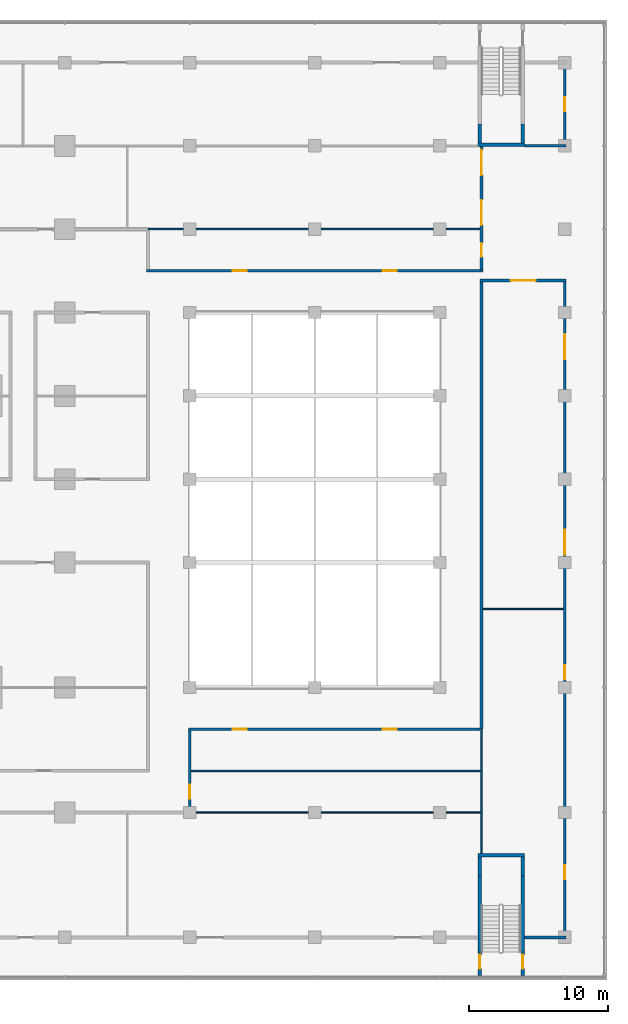
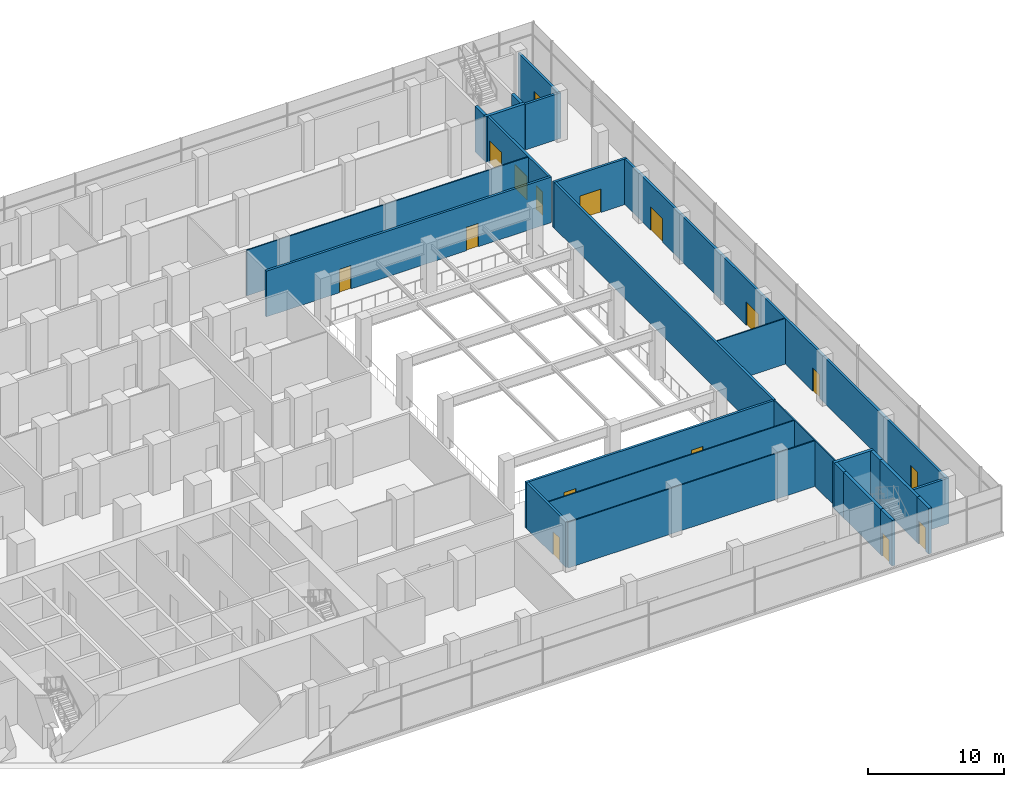
# One storey, part 17 of 22: 25 walls, 16 doors, 16 openings.
"""IFC4 building model written with IfcOpenShell, lengths in metres."""

from ifc_helpers import new_model, si_unit, direction, frame, frame_2d, origin, place, context, subcontext, project, spatial, rectangle, extrude, material, layer, layer_set, type_object, element, fill, save


model = new_model("IFC4")

# Units and contexts
model_context = context("Model", 3, precision=1e-05, world=origin(), true_north=direction((0.0, 1.0)))
body_context = subcontext(model_context, "Body", "Model", "MODEL_VIEW")
ifc_project = project(units=[si_unit("LENGTHUNIT", "METRE"), si_unit("AREAUNIT", "SQUARE_METRE"), si_unit("VOLUMEUNIT", "CUBIC_METRE"), si_unit("PLANEANGLEUNIT", "RADIAN"), si_unit("MASSUNIT", "GRAM", prefix="KILO")], contexts=[model_context])

# Site, building, storey
site_placement = place(None, origin())
site = spatial("IfcSite", under=ifc_project, at=site_placement, CompositionType="ELEMENT")
building_placement = place(site_placement, origin())
building = spatial("IfcBuilding", under=site, at=building_placement, Name="Finial Court Residences", CompositionType="ELEMENT")
storey_placement = place(building_placement, frame((0.0, 0.0, 28.0)))
storey = spatial("IfcBuildingStorey", under=building, at=storey_placement, Name="L05", CompositionType="ELEMENT", Elevation=28.0)

# Wall
ifc_material_1 = material(Name="Gypsum board")
ifc_layer_1 = layer(ifc_material_1, 0.02490234375)
ifc_material_2 = material(Name="Acoustic mineral wool in double frame")
ifc_layer_2 = layer(ifc_material_2, 0.14990234375)
ifc_layer_3 = layer(ifc_material_1, 0.02490234375)
ifc_layer_set_1 = layer_set([ifc_layer_1, ifc_layer_2, ifc_layer_3], Name="Corridor wall 200, 1 hour")
wall_type_1 = type_object("IfcWallType", Name="Corridor wall 200, 1 hour", PredefinedType="PARTITIONING", material=ifc_layer_set_1)
wall_1_placement = place(storey_placement, frame((55.60009765625, -31.5, 0.0), z_axis=(0.0, 0.0, 1.0), x_axis=(1.0, 0.0, 0.0)))
element("IfcWall", 1, at=wall_1_placement, inside=storey, type_object=wall_type_1, Name="Partition L05-002", PredefinedType="PARTITIONING", context=body_context, shape_type="SweptSolid", body=[
    extrude(rectangle(XDim=3.0, YDim=0.199951171875, at=frame_2d((1.5, 0.0))), origin(), (0.0, 0.0, 1.0), 4.10009765625),
])

# Wall, openings, doors
wall_2_placement = place(storey_placement, frame((31.39990234375, -16.5, 0.0), z_axis=(0.0, 0.0, 1.0), x_axis=(1.0, 0.0, 0.0)))
wall_2 = element("IfcWall", 2, at=wall_2_placement, inside=storey, type_object=wall_type_1, Name="Partition L05-011", PredefinedType="PARTITIONING", context=body_context, shape_type="SweptSolid", body=[
    extrude(rectangle(XDim=21.0, YDim=0.199951171875, at=frame_2d((10.5, 0.0))), origin(), (0.0, 0.0, 1.0), 4.10009765625),
])
opening_1_placement = place(wall_2_placement, frame((3.199951171875, 0.0, 0.0)))
opening_1 = element("IfcOpeningElement", 3, at=opening_1_placement, cuts=wall_2, Name="Opening L05-D011", PredefinedType="OPENING", context=body_context, shape_type="SweptSolid", body=[
    extrude(rectangle(XDim=1.0, YDim=2.10009765625, at=frame_2d((0.5, 1.050048828125))), frame((0.0, 0.10986328125, 0.0), z_axis=(0.0, -1.0, 0.0), x_axis=(1.0, 0.0, 0.0)), (0.0, 0.0, 1.0), 0.219970703125),
])
opening_2_placement = place(wall_2_placement, frame((14.0, 0.0, 0.0)))
opening_2 = element("IfcOpeningElement", 4, at=opening_2_placement, cuts=wall_2, Name="Opening L05-D012", PredefinedType="OPENING", context=body_context, shape_type="SweptSolid", body=[
    extrude(rectangle(XDim=1.0, YDim=2.10009765625, at=frame_2d((0.5, 1.050048828125))), frame((0.0, 0.10986328125, 0.0), z_axis=(0.0, -1.0, 0.0), x_axis=(1.0, 0.0, 0.0)), (0.0, 0.0, 1.0), 0.219970703125),
])
ifc_material_3 = material(Name="Timber door leaf in hollow metal frame", Category="wood")
door_type_1 = type_object("IfcDoorType", Name="Fire door set 1000 x 2100, 30 minutes", OperationType="SINGLE_SWING_LEFT", PredefinedType="DOOR", material=ifc_material_3)
door_1_placement = place(opening_1_placement, origin())
door_1 = element("IfcDoor", 5, at=door_1_placement, inside=storey, type_object=door_type_1, Name="Door L05-D011", OperationType="SINGLE_SWING_LEFT", OverallHeight=2.10009765625, OverallWidth=1.0, PredefinedType="DOOR", context=body_context, shape_type="SweptSolid", body=[
    extrude(rectangle(XDim=1.0, YDim=2.10009765625, at=frame_2d((0.5, 1.050048828125))), frame((0.0, 0.02490234375, 0.0), z_axis=(0.0, -1.0, 0.0), x_axis=(1.0, 0.0, 0.0)), (0.0, 0.0, 1.0), 0.050048828125),
])
fill(opening_1, door_1)
door_2_placement = place(opening_2_placement, origin())
door_2 = element("IfcDoor", 6, at=door_2_placement, inside=storey, type_object=door_type_1, Name="Door L05-D012", OperationType="SINGLE_SWING_RIGHT", OverallHeight=2.10009765625, OverallWidth=1.0, PredefinedType="DOOR", context=body_context, shape_type="SweptSolid", body=[
    extrude(rectangle(XDim=1.0, YDim=2.10009765625, at=frame_2d((0.5, 1.050048828125))), frame((0.0, 0.02490234375, 0.0), z_axis=(0.0, -1.0, 0.0), x_axis=(1.0, 0.0, 0.0)), (0.0, 0.0, 1.0), 0.050048828125),
])
fill(opening_2, door_2)

# Wall, opening, door
wall_3_placement = place(storey_placement, frame((52.39990234375, 15.800048828125, 0.0), z_axis=(0.0, 0.0, 1.0), x_axis=(1.0, 0.0, 0.0)))
wall_3 = element("IfcWall", 7, at=wall_3_placement, inside=storey, type_object=wall_type_1, Name="Partition L05-029", PredefinedType="PARTITIONING", context=body_context, shape_type="SweptSolid", body=[
    extrude(rectangle(XDim=6.2001953125, YDim=0.199951171875, at=frame_2d((3.10009765625, 0.0))), origin(), (0.0, 0.0, 1.0), 4.10009765625),
])
opening_3_placement = place(wall_3_placement, frame((2.199951171875, 0.0, 0.0)))
opening_3 = element("IfcOpeningElement", 8, at=opening_3_placement, cuts=wall_3, Name="Opening L05-D028", PredefinedType="OPENING", context=body_context, shape_type="SweptSolid", body=[
    extrude(rectangle(XDim=1.800048828125, YDim=2.10009765625, at=frame_2d((0.89990234375, 1.050048828125))), frame((0.0, 0.10986328125, 0.0), z_axis=(0.0, -1.0, 0.0), x_axis=(1.0, 0.0, 0.0)), (0.0, 0.0, 1.0), 0.219970703125),
])
door_type_2 = type_object("IfcDoorType", Name="Fire door set 1800 x 2100, 30 minutes", OperationType="DOUBLE_DOOR_SINGLE_SWING", PredefinedType="DOOR", material=ifc_material_3)
door_3_placement = place(opening_3_placement, origin())
door_3 = element("IfcDoor", 9, at=door_3_placement, inside=storey, type_object=door_type_2, Name="Door L05-D028", OperationType="DOUBLE_DOOR_SINGLE_SWING", OverallHeight=2.10009765625, OverallWidth=1.800048828125, PredefinedType="DOOR", context=body_context, shape_type="SweptSolid", body=[
    extrude(rectangle(XDim=1.800048828125, YDim=2.10009765625, at=frame_2d((0.89990234375, 1.050048828125))), frame((0.0, 0.02490234375, 0.0), z_axis=(0.0, -1.0, 0.0), x_axis=(1.0, 0.0, 0.0)), (0.0, 0.0, 1.0), 0.050048828125),
])
fill(opening_3, door_3)

# Wall, openings, doors
wall_4_placement = place(storey_placement, frame((28.39990234375, 16.5, 0.0), z_axis=(0.0, 0.0, 1.0), x_axis=(1.0, 0.0, 0.0)))
wall_4 = element("IfcWall", 10, at=wall_4_placement, inside=storey, type_object=wall_type_1, Name="Partition L05-030", PredefinedType="PARTITIONING", context=body_context, shape_type="SweptSolid", body=[
    extrude(rectangle(XDim=24.2001953125, YDim=0.199951171875, at=frame_2d((12.10009765625, 0.0))), origin(), (0.0, 0.0, 1.0), 4.10009765625),
])
opening_4_placement = place(wall_4_placement, frame((6.199951171875, 0.0, 0.0)))
opening_4 = element("IfcOpeningElement", 11, at=opening_4_placement, cuts=wall_4, Name="Opening L05-D029", PredefinedType="OPENING", context=body_context, shape_type="SweptSolid", body=[
    extrude(rectangle(XDim=1.0, YDim=2.10009765625, at=frame_2d((0.5, 1.050048828125))), frame((0.0, 0.10986328125, 0.0), z_axis=(0.0, -1.0, 0.0), x_axis=(1.0, 0.0, 0.0)), (0.0, 0.0, 1.0), 0.219970703125),
])
opening_5_placement = place(wall_4_placement, frame((17.0, 0.0, 0.0)))
opening_5 = element("IfcOpeningElement", 12, at=opening_5_placement, cuts=wall_4, Name="Opening L05-D030", PredefinedType="OPENING", context=body_context, shape_type="SweptSolid", body=[
    extrude(rectangle(XDim=1.0, YDim=2.10009765625, at=frame_2d((0.5, 1.050048828125))), frame((0.0, 0.10986328125, 0.0), z_axis=(0.0, -1.0, 0.0), x_axis=(1.0, 0.0, 0.0)), (0.0, 0.0, 1.0), 0.219970703125),
])
door_4_placement = place(opening_4_placement, origin())
door_4 = element("IfcDoor", 13, at=door_4_placement, inside=storey, type_object=door_type_1, Name="Door L05-D029", OperationType="SINGLE_SWING_RIGHT", OverallHeight=2.10009765625, OverallWidth=1.0, PredefinedType="DOOR", context=body_context, shape_type="SweptSolid", body=[
    extrude(rectangle(XDim=1.0, YDim=2.10009765625, at=frame_2d((0.5, 1.050048828125))), frame((0.0, 0.02490234375, 0.0), z_axis=(0.0, -1.0, 0.0), x_axis=(1.0, 0.0, 0.0)), (0.0, 0.0, 1.0), 0.050048828125),
])
fill(opening_4, door_4)
door_5_placement = place(opening_5_placement, origin())
door_5 = element("IfcDoor", 14, at=door_5_placement, inside=storey, type_object=door_type_1, Name="Door L05-D030", OperationType="SINGLE_SWING_LEFT", OverallHeight=2.10009765625, OverallWidth=1.0, PredefinedType="DOOR", context=body_context, shape_type="SweptSolid", body=[
    extrude(rectangle(XDim=1.0, YDim=2.10009765625, at=frame_2d((0.5, 1.050048828125))), frame((0.0, 0.02490234375, 0.0), z_axis=(0.0, -1.0, 0.0), x_axis=(1.0, 0.0, 0.0)), (0.0, 0.0, 1.0), 0.050048828125),
])
fill(opening_5, door_5)

# Wall
wall_5_placement = place(storey_placement, frame((55.60009765625, 25.5, 0.0), z_axis=(0.0, 0.0, 1.0), x_axis=(1.0, 0.0, 0.0)))
element("IfcWall", 15, at=wall_5_placement, inside=storey, type_object=wall_type_1, Name="Partition L05-033", PredefinedType="PARTITIONING", context=body_context, shape_type="SweptSolid", body=[
    extrude(rectangle(XDim=3.0, YDim=0.199951171875, at=frame_2d((1.5, 0.0))), origin(), (0.0, 0.0, 1.0), 4.10009765625),
])

# Wall, opening, door
wall_6_placement = place(storey_placement, frame((31.5, -22.39990234375, 0.0), z_axis=(0.0, 0.0, 1.0), x_axis=(0.0, 1.0, 0.0)))
wall_6 = element("IfcWall", 16, at=wall_6_placement, inside=storey, type_object=wall_type_1, Name="Partition L05-064", PredefinedType="PARTITIONING", context=body_context, shape_type="SweptSolid", body=[
    extrude(rectangle(XDim=5.7998046875, YDim=0.199951171875, at=frame_2d((2.89990234375, 0.0))), origin(), (0.0, 0.0, 1.0), 4.10009765625),
])
opening_6_placement = place(wall_6_placement, frame((0.89990234375, 0.0, 0.0)))
opening_6 = element("IfcOpeningElement", 17, at=opening_6_placement, cuts=wall_6, Name="Opening L05-D042", PredefinedType="OPENING", context=body_context, shape_type="SweptSolid", body=[
    extrude(rectangle(XDim=1.0, YDim=2.10009765625, at=frame_2d((0.5, 1.050048828125))), frame((0.0, 0.10986328125, 0.0), z_axis=(0.0, -1.0, 0.0), x_axis=(1.0, 0.0, 0.0)), (0.0, 0.0, 1.0), 0.219970703125),
])
door_6_placement = place(opening_6_placement, origin())
door_6 = element("IfcDoor", 18, at=door_6_placement, inside=storey, type_object=door_type_1, Name="Door L05-D042", OperationType="SINGLE_SWING_LEFT", OverallHeight=2.10009765625, OverallWidth=1.0, PredefinedType="DOOR", context=body_context, shape_type="SweptSolid", body=[
    extrude(rectangle(XDim=1.0, YDim=2.10009765625, at=frame_2d((0.5, 1.050048828125))), frame((0.0, 0.02490234375, 0.0), z_axis=(0.0, -1.0, 0.0), x_axis=(1.0, 0.0, 0.0)), (0.0, 0.0, 1.0), 0.050048828125),
])
fill(opening_6, door_6)

# Wall
wall_7_placement = place(storey_placement, frame((52.5, -16.5, 0.0), z_axis=(0.0, 0.0, 1.0), x_axis=(0.0, 1.0, 0.0)))
element("IfcWall", 19, at=wall_7_placement, inside=storey, type_object=wall_type_1, Name="Partition L05-065", PredefinedType="PARTITIONING", context=body_context, shape_type="SweptSolid", body=[
    extrude(rectangle(XDim=32.199951171875, YDim=0.199951171875, at=frame_2d((16.10009765625, 0.0))), origin(), (0.0, 0.0, 1.0), 4.10009765625),
])

# Wall, openings, doors
wall_8_placement = place(storey_placement, frame((52.5, 16.60009765625, 0.0), z_axis=(0.0, 0.0, 1.0), x_axis=(0.0, 1.0, 0.0)))
wall_8 = element("IfcWall", 20, at=wall_8_placement, inside=storey, type_object=wall_type_1, Name="Partition L05-066", PredefinedType="PARTITIONING", context=body_context, shape_type="SweptSolid", body=[
    extrude(rectangle(XDim=8.869873046875, YDim=0.199951171875, at=frame_2d((4.43505859375, 0.0))), origin(), (0.0, 0.0, 1.0), 4.10009765625),
])
opening_7_placement = place(wall_8_placement, frame((0.89990234375, 0.0, 0.0)))
opening_7 = element("IfcOpeningElement", 21, at=opening_7_placement, cuts=wall_8, Name="Opening L05-D043", PredefinedType="OPENING", context=body_context, shape_type="SweptSolid", body=[
    extrude(rectangle(XDim=1.0, YDim=2.10009765625, at=frame_2d((0.5, 1.050048828125))), frame((0.0, 0.10986328125, 0.0), z_axis=(0.0, -1.0, 0.0), x_axis=(1.0, 0.0, 0.0)), (0.0, 0.0, 1.0), 0.219970703125),
])
opening_8_placement = place(wall_8_placement, frame((3.199951171875, 0.0, 0.0)))
opening_8 = element("IfcOpeningElement", 22, at=opening_8_placement, cuts=wall_8, Name="Opening L05-D044", PredefinedType="OPENING", context=body_context, shape_type="SweptSolid", body=[
    extrude(rectangle(XDim=1.800048828125, YDim=2.10009765625, at=frame_2d((0.89990234375, 1.050048828125))), frame((0.0, 0.10986328125, 0.0), z_axis=(0.0, -1.0, 0.0), x_axis=(1.0, 0.0, 0.0)), (0.0, 0.0, 1.0), 0.219970703125),
])
opening_9_placement = place(wall_8_placement, frame((6.800048828125, 0.0, 0.0)))
opening_9 = element("IfcOpeningElement", 23, at=opening_9_placement, cuts=wall_8, Name="Opening L05-D045", PredefinedType="OPENING", context=body_context, shape_type="SweptSolid", body=[
    extrude(rectangle(XDim=1.800048828125, YDim=2.10009765625, at=frame_2d((0.89990234375, 1.050048828125))), frame((0.0, 0.10986328125, 0.0), z_axis=(0.0, -1.0, 0.0), x_axis=(1.0, 0.0, 0.0)), (0.0, 0.0, 1.0), 0.219970703125),
])
door_7_placement = place(opening_7_placement, origin())
door_7 = element("IfcDoor", 24, at=door_7_placement, inside=storey, type_object=door_type_1, Name="Door L05-D043", OperationType="SINGLE_SWING_RIGHT", OverallHeight=2.10009765625, OverallWidth=1.0, PredefinedType="DOOR", context=body_context, shape_type="SweptSolid", body=[
    extrude(rectangle(XDim=1.0, YDim=2.10009765625, at=frame_2d((0.5, 1.050048828125))), frame((0.0, 0.02490234375, 0.0), z_axis=(0.0, -1.0, 0.0), x_axis=(1.0, 0.0, 0.0)), (0.0, 0.0, 1.0), 0.050048828125),
])
fill(opening_7, door_7)
door_8_placement = place(opening_8_placement, origin())
door_8 = element("IfcDoor", 25, at=door_8_placement, inside=storey, type_object=door_type_2, Name="Door L05-D044", OperationType="DOUBLE_DOOR_SINGLE_SWING", OverallHeight=2.10009765625, OverallWidth=1.800048828125, PredefinedType="DOOR", context=body_context, shape_type="SweptSolid", body=[
    extrude(rectangle(XDim=1.800048828125, YDim=2.10009765625, at=frame_2d((0.89990234375, 1.050048828125))), frame((0.0, 0.02490234375, 0.0), z_axis=(0.0, -1.0, 0.0), x_axis=(1.0, 0.0, 0.0)), (0.0, 0.0, 1.0), 0.050048828125),
])
fill(opening_8, door_8)
door_9_placement = place(opening_9_placement, origin())
door_9 = element("IfcDoor", 26, at=door_9_placement, inside=storey, type_object=door_type_2, Name="Door L05-D045", OperationType="DOUBLE_DOOR_SINGLE_SWING", OverallHeight=2.10009765625, OverallWidth=1.800048828125, PredefinedType="DOOR", context=body_context, shape_type="SweptSolid", body=[
    extrude(rectangle(XDim=1.800048828125, YDim=2.10009765625, at=frame_2d((0.89990234375, 1.050048828125))), frame((0.0, 0.02490234375, 0.0), z_axis=(0.0, -1.0, 0.0), x_axis=(1.0, 0.0, 0.0)), (0.0, 0.0, 1.0), 0.050048828125),
])
fill(opening_9, door_9)

wall_9_placement = place(storey_placement, frame((58.5, -31.39990234375, 0.0), z_axis=(0.0, 0.0, 1.0), x_axis=(0.0, 1.0, 0.0)))
wall_9 = element("IfcWall", 27, at=wall_9_placement, inside=storey, type_object=wall_type_1, Name="Partition L05-068", PredefinedType="PARTITIONING", context=body_context, shape_type="SweptSolid", body=[
    extrude(rectangle(XDim=47.099853515625, YDim=0.199951171875, at=frame_2d((23.5498046875, 0.0))), origin(), (0.0, 0.0, 1.0), 4.10009765625),
])
opening_10_placement = place(wall_9_placement, frame((4.10009765625, 0.0, 0.0)))
opening_10 = element("IfcOpeningElement", 28, at=opening_10_placement, cuts=wall_9, Name="Opening L05-D046", PredefinedType="OPENING", context=body_context, shape_type="SweptSolid", body=[
    extrude(rectangle(XDim=1.0, YDim=2.10009765625, at=frame_2d((0.5, 1.050048828125))), frame((0.0, 0.10986328125, 0.0), z_axis=(0.0, -1.0, 0.0), x_axis=(1.0, 0.0, 0.0)), (0.0, 0.0, 1.0), 0.219970703125),
])
opening_11_placement = place(wall_9_placement, frame((18.5, 0.0, 0.0)))
opening_11 = element("IfcOpeningElement", 29, at=opening_11_placement, cuts=wall_9, Name="Opening L05-D047", PredefinedType="OPENING", context=body_context, shape_type="SweptSolid", body=[
    extrude(rectangle(XDim=1.0, YDim=2.10009765625, at=frame_2d((0.5, 1.050048828125))), frame((0.0, 0.10986328125, 0.0), z_axis=(0.0, -1.0, 0.0), x_axis=(1.0, 0.0, 0.0)), (0.0, 0.0, 1.0), 0.219970703125),
])
opening_12_placement = place(wall_9_placement, frame((27.449951171875, 0.0, 0.0)))
opening_12 = element("IfcOpeningElement", 30, at=opening_12_placement, cuts=wall_9, Name="Opening L05-D048", PredefinedType="OPENING", context=body_context, shape_type="SweptSolid", body=[
    extrude(rectangle(XDim=1.800048828125, YDim=2.10009765625, at=frame_2d((0.89990234375, 1.050048828125))), frame((0.0, 0.10986328125, 0.0), z_axis=(0.0, -1.0, 0.0), x_axis=(1.0, 0.0, 0.0)), (0.0, 0.0, 1.0), 0.219970703125),
])
opening_13_placement = place(wall_9_placement, frame((41.550048828125, 0.0, 0.0)))
opening_13 = element("IfcOpeningElement", 31, at=opening_13_placement, cuts=wall_9, Name="Opening L05-D049", PredefinedType="OPENING", context=body_context, shape_type="SweptSolid", body=[
    extrude(rectangle(XDim=1.800048828125, YDim=2.10009765625, at=frame_2d((0.89990234375, 1.050048828125))), frame((0.0, 0.10986328125, 0.0), z_axis=(0.0, -1.0, 0.0), x_axis=(1.0, 0.0, 0.0)), (0.0, 0.0, 1.0), 0.219970703125),
])
door_10_placement = place(opening_10_placement, origin())
door_10 = element("IfcDoor", 32, at=door_10_placement, inside=storey, type_object=door_type_1, Name="Door L05-D046", OperationType="SINGLE_SWING_RIGHT", OverallHeight=2.10009765625, OverallWidth=1.0, PredefinedType="DOOR", context=body_context, shape_type="SweptSolid", body=[
    extrude(rectangle(XDim=1.0, YDim=2.10009765625, at=frame_2d((0.5, 1.050048828125))), frame((0.0, 0.02490234375, 0.0), z_axis=(0.0, -1.0, 0.0), x_axis=(1.0, 0.0, 0.0)), (0.0, 0.0, 1.0), 0.050048828125),
])
fill(opening_10, door_10)
door_11_placement = place(opening_11_placement, origin())
door_11 = element("IfcDoor", 33, at=door_11_placement, inside=storey, type_object=door_type_1, Name="Door L05-D047", OperationType="SINGLE_SWING_RIGHT", OverallHeight=2.10009765625, OverallWidth=1.0, PredefinedType="DOOR", context=body_context, shape_type="SweptSolid", body=[
    extrude(rectangle(XDim=1.0, YDim=2.10009765625, at=frame_2d((0.5, 1.050048828125))), frame((0.0, 0.02490234375, 0.0), z_axis=(0.0, -1.0, 0.0), x_axis=(1.0, 0.0, 0.0)), (0.0, 0.0, 1.0), 0.050048828125),
])
fill(opening_11, door_11)
door_12_placement = place(opening_12_placement, origin())
door_12 = element("IfcDoor", 34, at=door_12_placement, inside=storey, type_object=door_type_2, Name="Door L05-D048", OperationType="DOUBLE_DOOR_SINGLE_SWING", OverallHeight=2.10009765625, OverallWidth=1.800048828125, PredefinedType="DOOR", context=body_context, shape_type="SweptSolid", body=[
    extrude(rectangle(XDim=1.800048828125, YDim=2.10009765625, at=frame_2d((0.89990234375, 1.050048828125))), frame((0.0, 0.02490234375, 0.0), z_axis=(0.0, -1.0, 0.0), x_axis=(1.0, 0.0, 0.0)), (0.0, 0.0, 1.0), 0.050048828125),
])
fill(opening_12, door_12)
door_13_placement = place(opening_13_placement, origin())
door_13 = element("IfcDoor", 35, at=door_13_placement, inside=storey, type_object=door_type_2, Name="Door L05-D049", OperationType="DOUBLE_DOOR_SINGLE_SWING", OverallHeight=2.10009765625, OverallWidth=1.800048828125, PredefinedType="DOOR", context=body_context, shape_type="SweptSolid", body=[
    extrude(rectangle(XDim=1.800048828125, YDim=2.10009765625, at=frame_2d((0.89990234375, 1.050048828125))), frame((0.0, 0.02490234375, 0.0), z_axis=(0.0, -1.0, 0.0), x_axis=(1.0, 0.0, 0.0)), (0.0, 0.0, 1.0), 0.050048828125),
])
fill(opening_13, door_13)

# Wall, opening, door
wall_10_placement = place(storey_placement, frame((58.5, 25.60009765625, 0.0), z_axis=(0.0, 0.0, 1.0), x_axis=(0.0, 1.0, 0.0)))
wall_10 = element("IfcWall", 36, at=wall_10_placement, inside=storey, type_object=wall_type_1, Name="Partition L05-069", PredefinedType="PARTITIONING", context=body_context, shape_type="SweptSolid", body=[
    extrude(rectangle(XDim=5.7998046875, YDim=0.199951171875, at=frame_2d((2.89990234375, 0.0))), origin(), (0.0, 0.0, 1.0), 4.10009765625),
])
opening_14_placement = place(wall_10_placement, frame((2.39990234375, 0.0, 0.0)))
opening_14 = element("IfcOpeningElement", 37, at=opening_14_placement, cuts=wall_10, Name="Opening L05-D050", PredefinedType="OPENING", context=body_context, shape_type="SweptSolid", body=[
    extrude(rectangle(XDim=1.0, YDim=2.10009765625, at=frame_2d((0.5, 1.050048828125))), frame((0.0, 0.10986328125, 0.0), z_axis=(0.0, -1.0, 0.0), x_axis=(1.0, 0.0, 0.0)), (0.0, 0.0, 1.0), 0.219970703125),
])
door_14_placement = place(opening_14_placement, origin())
door_14 = element("IfcDoor", 38, at=door_14_placement, inside=storey, type_object=door_type_1, Name="Door L05-D050", OperationType="SINGLE_SWING_RIGHT", OverallHeight=2.10009765625, OverallWidth=1.0, PredefinedType="DOOR", context=body_context, shape_type="SweptSolid", body=[
    extrude(rectangle(XDim=1.0, YDim=2.10009765625, at=frame_2d((0.5, 1.050048828125))), frame((0.0, 0.02490234375, 0.0), z_axis=(0.0, -1.0, 0.0), x_axis=(1.0, 0.0, 0.0)), (0.0, 0.0, 1.0), 0.050048828125),
])
fill(opening_14, door_14)

# Walls
ifc_layer_4 = layer(ifc_material_1, 0.012451171875)
ifc_material_4 = material(Name="Mineral wool in light-gauge frame")
ifc_layer_5 = layer(ifc_material_4, 0.074951171875)
ifc_layer_6 = layer(ifc_material_1, 0.012451171875)
ifc_layer_set_2 = layer_set([ifc_layer_4, ifc_layer_5, ifc_layer_6], Name="Gypsum board partition 100")
wall_type_2 = type_object("IfcWallType", Name="Gypsum board partition 100", PredefinedType="PARTITIONING", material=ifc_layer_set_2)
wall_11_placement = place(storey_placement, frame((31.5, -22.5, 0.0), z_axis=(0.0, 0.0, 1.0), x_axis=(1.0, 0.0, 0.0)))
element("IfcWall", 39, at=wall_11_placement, inside=storey, type_object=wall_type_2, Name="Partition L05-007", PredefinedType="PARTITIONING", context=body_context, shape_type="SweptSolid", body=[
    extrude(rectangle(XDim=20.949951171875, YDim=0.10009765625, at=frame_2d((10.47509765625, 0.0))), origin(), (0.0, 0.0, 1.0), 4.10009765625),
])
wall_12_placement = place(storey_placement, frame((31.60009765625, -19.5, 0.0), z_axis=(0.0, 0.0, 1.0), x_axis=(1.0, 0.0, 0.0)))
element("IfcWall", 40, at=wall_12_placement, inside=storey, type_object=wall_type_2, Name="Partition L05-010", PredefinedType="PARTITIONING", context=body_context, shape_type="SweptSolid", body=[
    extrude(rectangle(XDim=20.849853515625, YDim=0.10009765625, at=frame_2d((10.4248046875, 0.0))), origin(), (0.0, 0.0, 1.0), 4.10009765625),
])
wall_13_placement = place(storey_placement, frame((52.60009765625, -7.85009765625, 0.0), z_axis=(0.0, 0.0, 1.0), x_axis=(1.0, 0.0, 0.0)))
element("IfcWall", 41, at=wall_13_placement, inside=storey, type_object=wall_type_2, Name="Partition L05-014", PredefinedType="PARTITIONING", context=body_context, shape_type="SweptSolid", body=[
    extrude(rectangle(XDim=5.7998046875, YDim=0.10009765625, at=frame_2d((2.89990234375, 0.0))), origin(), (0.0, 0.0, 1.0), 4.10009765625),
])
wall_14_placement = place(storey_placement, frame((28.5, 19.5, 0.0), z_axis=(0.0, 0.0, 1.0), x_axis=(1.0, 0.0, 0.0)))
element("IfcWall", 42, at=wall_14_placement, inside=storey, type_object=wall_type_2, Name="Partition L05-032", PredefinedType="PARTITIONING", context=body_context, shape_type="SweptSolid", body=[
    extrude(rectangle(XDim=23.89990234375, YDim=0.10009765625, at=frame_2d((11.949951171875, 0.0))), origin(), (0.0, 0.0, 1.0), 4.10009765625),
])
wall_15_placement = place(storey_placement, frame((52.5, -25.469970703125, 0.0), z_axis=(0.0, 0.0, 1.0), x_axis=(0.0, 1.0, 0.0)))
element("IfcWall", 43, at=wall_15_placement, inside=storey, type_object=wall_type_2, Name="Partition L05-067", PredefinedType="PARTITIONING", context=body_context, shape_type="SweptSolid", body=[
    extrude(rectangle(XDim=8.969970703125, YDim=0.10009765625, at=frame_2d((4.48486328125, 0.0))), origin(), (0.0, 0.0, 1.0), 4.10009765625),
])

# Wall, opening, door
ifc_material_5 = material(Name="Concrete C50/60", Category="concrete")
ifc_layer_7 = layer(ifc_material_5, 0.25)
ifc_layer_set_3 = layer_set([ifc_layer_7], Name="Stair enclosure wall 250 Concrete C50/60")
wall_type_3 = type_object("IfcWallType", Name="Stair enclosure wall 250 Concrete C50/60", PredefinedType="SHEAR", material=ifc_layer_set_3)
wall_16_placement = place(storey_placement, frame((52.375, -32.550048828125, 0.0), z_axis=(0.0, 0.0, 1.0), x_axis=(0.0, -1.0, 0.0)))
wall_16 = element("IfcWall", 44, at=wall_16_placement, inside=storey, type_object=wall_type_3, Name="Exit Stair 3 enclosure wall L05-W1", PredefinedType="SHEAR", context=body_context, shape_type="SweptSolid", body=[
    extrude(rectangle(XDim=1.68994140625, YDim=0.25, at=frame_2d((0.844970703125, 0.0))), origin(), (0.0, 0.0, 1.0), 4.10009765625),
])
opening_15_placement = place(wall_16_placement, frame((0.199951171875, 0.0, 0.0)))
opening_15 = element("IfcOpeningElement", 45, at=opening_15_placement, cuts=wall_16, Name="Opening L05-S3", PredefinedType="OPENING", context=body_context, shape_type="SweptSolid", body=[
    extrude(rectangle(XDim=1.0, YDim=2.10009765625, at=frame_2d((0.5, 1.050048828125))), frame((0.0, 0.135009765625, 0.0), z_axis=(0.0, -1.0, 0.0), x_axis=(1.0, 0.0, 0.0)), (0.0, 0.0, 1.0), 0.27001953125),
])
ifc_material_6 = material(Name="Steel fire door", Category="steel")
door_type_3 = type_object("IfcDoorType", Name="Stair door 1000 x 2100 EI 90", OperationType="NOTDEFINED", PredefinedType="DOOR", material=ifc_material_6)
door_15_placement = place(opening_15_placement, origin())
door_15 = element("IfcDoor", 46, at=door_15_placement, inside=storey, type_object=door_type_3, Name="Exit Stair 3 door L05", OperationType="SINGLE_SWING_RIGHT", OverallHeight=2.10009765625, OverallWidth=1.0, PredefinedType="DOOR", context=body_context, shape_type="SweptSolid", body=[
    extrude(rectangle(XDim=1.0, YDim=2.10009765625, at=frame_2d((0.5, 1.050048828125))), frame((0.0, 0.02490234375, 0.0), z_axis=(0.0, -1.0, 0.0), x_axis=(1.0, 0.0, 0.0)), (0.0, 0.0, 1.0), 0.050048828125),
])
fill(opening_15, door_15)

# Walls
wall_17_placement = place(storey_placement, frame((52.375, -32.550048828125, 0.0), z_axis=(0.0, 0.0, 1.0), x_axis=(0.0, 1.0, 0.0)))
element("IfcWall", 47, at=wall_17_placement, inside=storey, type_object=wall_type_3, Name="Exit Stair 3 enclosure wall L05-W2", PredefinedType="SHEAR", context=body_context, shape_type="SweptSolid", body=[
    extrude(rectangle(XDim=5.47998046875, YDim=0.25, at=frame_2d((2.739990234375, 0.0))), origin(), (0.0, 0.0, 1.0), 4.10009765625),
])
wall_18_placement = place(storey_placement, frame((52.375, -27.070068359375, 0.0), z_axis=(0.0, 0.0, 1.0), x_axis=(0.0, 1.0, 0.0)))
element("IfcWall", 48, at=wall_18_placement, inside=storey, type_object=wall_type_3, Name="Exit Stair 3 enclosure wall L05-W3", PredefinedType="SHEAR", context=body_context, shape_type="SweptSolid", body=[
    extrude(rectangle(XDim=1.35009765625, YDim=0.25, at=frame_2d((0.675048828125, 0.0))), origin(), (0.0, 0.0, 1.0), 4.10009765625),
])

# Wall, opening, door
wall_19_placement = place(storey_placement, frame((55.47509765625, -34.239990234375, 0.0), z_axis=(0.0, 0.0, 1.0), x_axis=(0.0, 1.0, 0.0)))
wall_19 = element("IfcWall", 49, at=wall_19_placement, inside=storey, type_object=wall_type_3, Name="Exit Stair 3 enclosure wall L05-E1", PredefinedType="SHEAR", context=body_context, shape_type="SweptSolid", body=[
    extrude(rectangle(XDim=1.68994140625, YDim=0.25, at=frame_2d((0.844970703125, 0.0))), origin(), (0.0, 0.0, 1.0), 4.10009765625),
])
opening_16_placement = place(wall_19_placement, frame((0.489990234375, 0.0, 0.0)))
opening_16 = element("IfcOpeningElement", 50, at=opening_16_placement, cuts=wall_19, Name="Opening L05-S3E", PredefinedType="OPENING", context=body_context, shape_type="SweptSolid", body=[
    extrude(rectangle(XDim=1.0, YDim=2.10009765625, at=frame_2d((0.5, 1.050048828125))), frame((0.0, 0.135009765625, 0.0), z_axis=(0.0, -1.0, 0.0), x_axis=(1.0, 0.0, 0.0)), (0.0, 0.0, 1.0), 0.27001953125),
])
door_16_placement = place(opening_16_placement, origin())
door_16 = element("IfcDoor", 51, at=door_16_placement, inside=storey, type_object=door_type_3, Name="Exit Stair 3 east door L05", OperationType="SINGLE_SWING_LEFT", OverallHeight=2.10009765625, OverallWidth=1.0, PredefinedType="DOOR", context=body_context, shape_type="SweptSolid", body=[
    extrude(rectangle(XDim=1.0, YDim=2.10009765625, at=frame_2d((0.5, 1.050048828125))), frame((0.0, 0.02490234375, 0.0), z_axis=(0.0, -1.0, 0.0), x_axis=(1.0, 0.0, 0.0)), (0.0, 0.0, 1.0), 0.050048828125),
])
fill(opening_16, door_16)

# Walls
wall_20_placement = place(storey_placement, frame((55.47509765625, -32.550048828125, 0.0), z_axis=(0.0, 0.0, 1.0), x_axis=(0.0, 1.0, 0.0)))
element("IfcWall", 52, at=wall_20_placement, inside=storey, type_object=wall_type_3, Name="Exit Stair 3 enclosure wall L05-E2", PredefinedType="SHEAR", context=body_context, shape_type="SweptSolid", body=[
    extrude(rectangle(XDim=5.47998046875, YDim=0.25, at=frame_2d((2.739990234375, 0.0))), origin(), (0.0, 0.0, 1.0), 4.10009765625),
])
wall_21_placement = place(storey_placement, frame((55.47509765625, -27.070068359375, 0.0), z_axis=(0.0, 0.0, 1.0), x_axis=(0.0, 1.0, 0.0)))
element("IfcWall", 53, at=wall_21_placement, inside=storey, type_object=wall_type_3, Name="Exit Stair 3 enclosure wall L05-E3", PredefinedType="SHEAR", context=body_context, shape_type="SweptSolid", body=[
    extrude(rectangle(XDim=1.35009765625, YDim=0.25, at=frame_2d((0.675048828125, 0.0))), origin(), (0.0, 0.0, 1.0), 4.10009765625),
])
wall_22_placement = place(storey_placement, frame((52.25, -25.594970703125, 0.0), z_axis=(0.0, 0.0, 1.0), x_axis=(1.0, 0.0, 0.0)))
element("IfcWall", 54, at=wall_22_placement, inside=storey, type_object=wall_type_3, Name="Exit Stair 3 enclosure wall L05-N", PredefinedType="SHEAR", context=body_context, shape_type="SweptSolid", body=[
    extrude(rectangle(XDim=3.35009765625, YDim=0.25, at=frame_2d((1.675048828125, 0.0))), origin(), (0.0, 0.0, 1.0), 4.10009765625),
])
for number, where, z_axis, x_axis, name in (
    (55, (52.375, 25.719970703125, 0.0), (0.0, 0.0, 1.0), (0.0, 1.0, 0.0), "Exit Stair 5 enclosure wall L05-W3"),
    (56, (55.47509765625, 25.719970703125, 0.0), (0.0, 0.0, 1.0), (0.0, 1.0, 0.0), "Exit Stair 5 enclosure wall L05-E3"),
):
    element("IfcWall", number, at=place(storey_placement, frame(where, z_axis=z_axis, x_axis=x_axis)), inside=storey, type_object=wall_type_3, Name=name, PredefinedType="SHEAR", context=body_context, shape_type="SweptSolid", body=[
        extrude(rectangle(XDim=1.35009765625, YDim=0.25, at=frame_2d((0.675048828125, 0.0))), origin(), (0.0, 0.0, 1.0), 4.10009765625),
    ])
wall_23_placement = place(storey_placement, frame((52.25, 25.594970703125, 0.0), z_axis=(0.0, 0.0, 1.0), x_axis=(1.0, 0.0, 0.0)))
element("IfcWall", 57, at=wall_23_placement, inside=storey, type_object=wall_type_3, Name="Exit Stair 5 enclosure wall L05-N", PredefinedType="SHEAR", context=body_context, shape_type="SweptSolid", body=[
    extrude(rectangle(XDim=3.35009765625, YDim=0.25, at=frame_2d((1.675048828125, 0.0))), origin(), (0.0, 0.0, 1.0), 4.10009765625),
])

save(model, "model.ifc")
